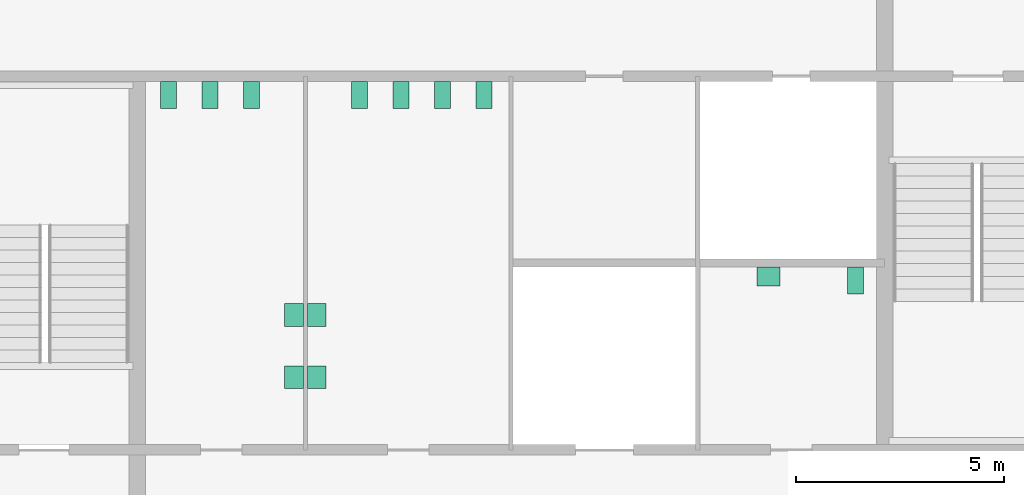
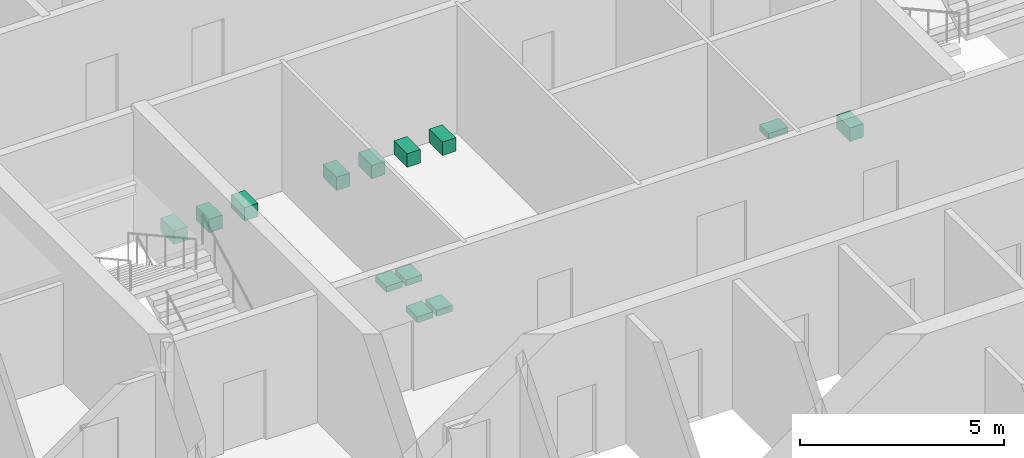
# One storey, part 13 of 13: 13 sanitary terminals.
"""IFC4 building model written with IfcOpenShell, lengths in metres."""

from ifc_helpers import new_model, si_unit, direction, frame, origin, origin_2d, place, context, subcontext, project, spatial, rectangle, extrude, material, type_object, element, save


model = new_model("IFC4")

# Units and contexts
model_context = context("Model", 3, precision=1e-05, world=origin(), true_north=direction((0.0, 1.0)))
body_context = subcontext(model_context, "Body", "Model", "MODEL_VIEW")
ifc_project = project(units=[si_unit("LENGTHUNIT", "METRE"), si_unit("AREAUNIT", "SQUARE_METRE"), si_unit("VOLUMEUNIT", "CUBIC_METRE"), si_unit("PLANEANGLEUNIT", "RADIAN"), si_unit("MASSUNIT", "GRAM", prefix="KILO")], contexts=[model_context])

# Site, building, storey
site_placement = place(None, origin())
site = spatial("IfcSite", under=ifc_project, at=site_placement, CompositionType="ELEMENT")
building_placement = place(site_placement, origin())
building = spatial("IfcBuilding", under=site, at=building_placement, Name="Corais Broadcast Tower", CompositionType="ELEMENT")
storey_placement = place(building_placement, frame((0.0, 0.0, 119.60009765625)))
storey = spatial("IfcBuildingStorey", under=building, at=storey_placement, Name="L26", CompositionType="ELEMENT", Elevation=119.60009765625)

# Sanitary terminals
ifc_material_1 = material(Name="Vitreous china", Category="ceramic")
sanitary_terminal_type_1 = type_object("IfcSanitaryTerminalType", Name="WC pan 380x650", PredefinedType="TOILETPAN", material=ifc_material_1)
for number, where, z_axis, x_axis, name in (
    (1, (18.75, 31.050048828125, 0.0), (0.0, 0.0, 1.0), (1.0, 0.0, 0.0), "SW1 WC pan, male toilets L26"),
    (2, (19.75, 31.050048828125, 0.0), (0.0, 0.0, 1.0), (1.0, 0.0, 0.0), "SW1 WC pan, male toilets L26"),
    (3, (20.75, 31.050048828125, 0.0), (0.0, 0.0, 1.0), (1.0, 0.0, 0.0), "SW1 WC pan, male toilets L26"),
    (4, (23.35009765625, 31.050048828125, 0.0), (0.0, 0.0, 1.0), (1.0, 0.0, 0.0), "SW1 WC pan, female toilets L26"),
    (5, (24.35009765625, 31.050048828125, 0.0), (0.0, 0.0, 1.0), (1.0, 0.0, 0.0), "SW1 WC pan, female toilets L26"),
    (6, (25.35009765625, 31.050048828125, 0.0), (0.0, 0.0, 1.0), (1.0, 0.0, 0.0), "SW1 WC pan, female toilets L26"),
    (7, (26.35009765625, 31.050048828125, 0.0), (0.0, 0.0, 1.0), (1.0, 0.0, 0.0), "SW1 WC pan, female toilets L26"),
    (8, (35.300048828125, 26.574951171875, 0.0), (0.0, 0.0, 1.0), (1.0, 0.0, 0.0), "SW1 WC pan, accessible WC L26"),
):
    element("IfcSanitaryTerminal", number, at=place(storey_placement, frame(where, z_axis=z_axis, x_axis=x_axis)), inside=storey, type_object=sanitary_terminal_type_1, Name=name, PredefinedType="TOILETPAN", context=body_context, shape_type="SweptSolid", body=[
        extrude(rectangle(XDim=0.3798828125, YDim=0.64990234375, at=origin_2d()), origin(), (0.0, 0.0, 1.0), 0.39990234375),
    ])
ifc_material_2 = material(Name="Vitreous china", Category="ceramic")
sanitary_terminal_type_2 = type_object("IfcSanitaryTerminalType", Name="Wash basin 550x450", PredefinedType="WASHHANDBASIN", material=ifc_material_2)
for number, where, z_axis, x_axis, name in (
    (9, (21.77490234375, 24.25, 0.69970703125), (0.0, 0.0, 1.0), (1.0, 0.0, 0.0), "WB1 wash basin, male toilets L26"),
    (10, (21.77490234375, 25.75, 0.69970703125), (0.0, 0.0, 1.0), (1.0, 0.0, 0.0), "WB1 wash basin, male toilets L26"),
    (11, (22.324951171875, 24.25, 0.69970703125), (0.0, 0.0, 1.0), (1.0, 0.0, 0.0), "WB1 wash basin, female toilets L26"),
    (12, (22.324951171875, 25.75, 0.69970703125), (0.0, 0.0, 1.0), (1.0, 0.0, 0.0), "WB1 wash basin, female toilets L26"),
):
    element("IfcSanitaryTerminal", number, at=place(storey_placement, frame(where, z_axis=z_axis, x_axis=x_axis)), inside=storey, type_object=sanitary_terminal_type_2, Name=name, PredefinedType="WASHHANDBASIN", context=body_context, shape_type="SweptSolid", body=[
        extrude(rectangle(XDim=0.449951171875, YDim=0.550048828125, at=origin_2d()), origin(), (0.0, 0.0, 1.0), 0.179931640625),
    ])
sanitary_terminal_placement = place(storey_placement, frame((33.199951171875, 26.675048828125, 0.69970703125), z_axis=(0.0, 0.0, 1.0), x_axis=(1.0, 0.0, 0.0)))
element("IfcSanitaryTerminal", 13, at=sanitary_terminal_placement, inside=storey, type_object=sanitary_terminal_type_2, Name="WB1 wash basin, accessible WC L26", PredefinedType="WASHHANDBASIN", context=body_context, shape_type="SweptSolid", body=[
    extrude(rectangle(XDim=0.550048828125, YDim=0.449951171875, at=origin_2d()), origin(), (0.0, 0.0, 1.0), 0.179931640625),
])

save(model, "model.ifc")
